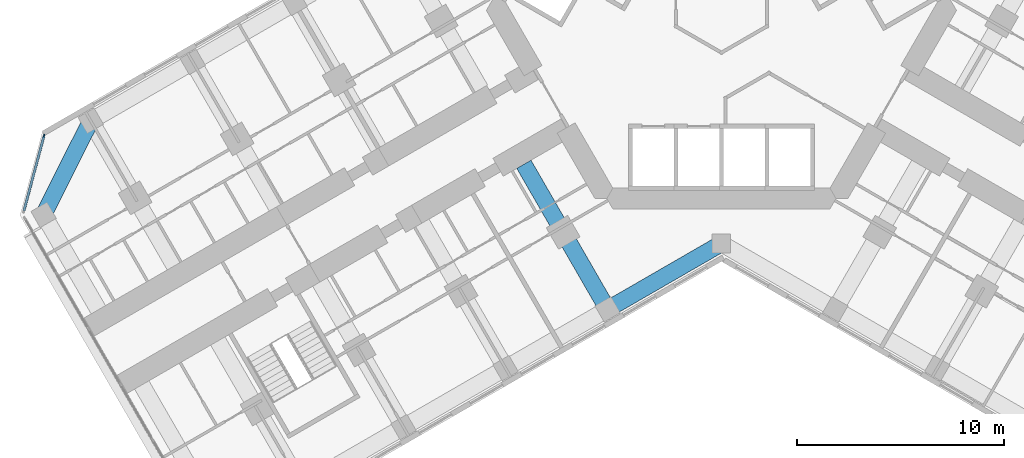
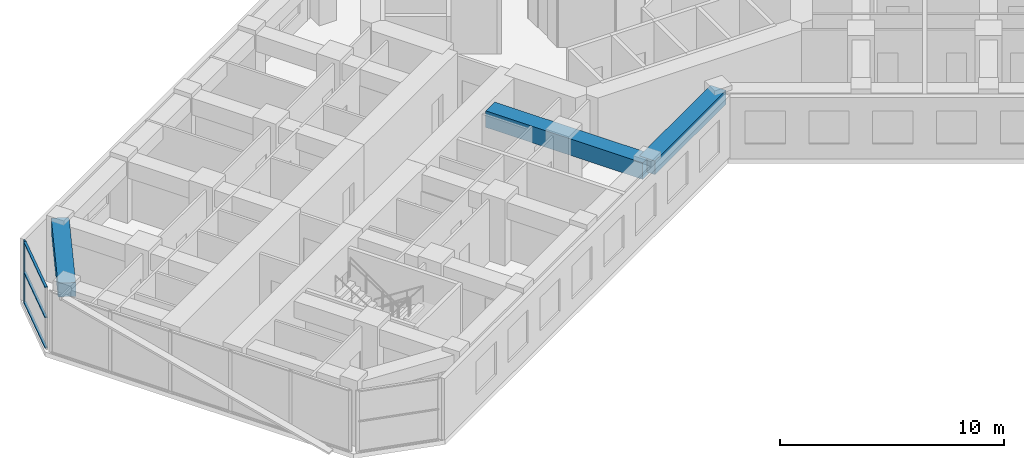
# One storey, part 3 of 21: 4 members, 3 beams, 1 element without a shape of its own.
"""IFC4 building model written with IfcOpenShell, lengths in metres."""

from ifc_helpers import new_model, si_unit, direction, frame, origin, origin_2d, place, context, subcontext, project, spatial, rectangle, extrude, material, material_profile, profile_set, type_object, element, aggregate, save


model = new_model("IFC4")

# Units and contexts
model_context = context("Model", 3, precision=1e-05, world=origin(), true_north=direction((0.0, 1.0)))
body_context = subcontext(model_context, "Body", "Model", "MODEL_VIEW")
ifc_project = project(units=[si_unit("LENGTHUNIT", "METRE"), si_unit("AREAUNIT", "SQUARE_METRE"), si_unit("VOLUMEUNIT", "CUBIC_METRE"), si_unit("PLANEANGLEUNIT", "RADIAN"), si_unit("MASSUNIT", "GRAM", prefix="KILO")], contexts=[model_context])

# Site, building, storey
site_placement = place(None, origin())
site = spatial("IfcSite", under=ifc_project, at=site_placement, CompositionType="ELEMENT")
building_placement = place(site_placement, origin())
building = spatial("IfcBuilding", under=site, at=building_placement, Name="Kosmar Iwan School Tower", CompositionType="ELEMENT")
storey_placement = place(building_placement, frame((0.0, 0.0, 88.0)))
storey = spatial("IfcBuildingStorey", under=building, at=storey_placement, Name="L21", CompositionType="ELEMENT", Elevation=88.0)

# Curtain wall, member
ifc_material_1 = material(Name="Dark glass in black aluminium frame", Category="aluminium")
curtain_wall_type = type_object("IfcCurtainWallType", Name="Chamfer curtain wall dark glass", PredefinedType="USERDEFINED", material=ifc_material_1)
curtain_wall_placement = place(storey_placement, origin())
curtain_wall = element("IfcCurtainWall", 1, at=curtain_wall_placement, inside=storey, type_object=curtain_wall_type, Name="Curtain wall L21-F12", ObjectType="FACETED CURTAIN WALL", PredefinedType="USERDEFINED")
ifc_material_2 = material(Name="Black anodised aluminium", Category="aluminium")
ifc_material_profile_1 = material_profile(ifc_material_2, rectangle(XDim=0.06005859375, YDim=0.159912109375, at=origin_2d()), Name="MULLION 60x160")
ifc_profile_set_1 = profile_set([ifc_material_profile_1], Name="Black anodised aluminium")
member_type_1 = type_object("IfcMemberType", Name="Mullion 60x160", PredefinedType="MULLION", material=ifc_profile_set_1)
member_1_placement = place(storey_placement, frame((-32.78076171875, -6.5732421875, 0.0), z_axis=(0.0, 0.0, 1.0), x_axis=(0.965925875495, -0.258818861462, 0.0)))
member_1 = element("IfcMember", 2, at=member_1_placement, type_object=member_type_1, Name="CW2 mullion 1", PredefinedType="MULLION", context=body_context, shape_type="SweptSolid", body=[
    extrude(rectangle(XDim=0.06005859375, YDim=0.159912109375, at=origin_2d()), origin(), (0.0, 0.0, 1.0), 3.35009765625),
])

# Beams
ifc_material_3 = material(Name="Concrete C50/60", Category="concrete")
ifc_material_profile_2 = material_profile(ifc_material_3, rectangle(XDim=0.800048828125, YDim=0.75, at=origin_2d()), Name="RC 800x750")
ifc_profile_set_2 = profile_set([ifc_material_profile_2], Name="Concrete C50/60")
beam_type_1 = type_object("IfcBeamType", Name="RC edge beam 800x750", PredefinedType="BEAM", material=ifc_profile_set_2)
beam_1_placement = place(storey_placement, frame((0.0, -11.77783203125, 2.97509765625), z_axis=(-0.866014293216, -0.500019243575, 0.0), x_axis=(0.500019243575, -0.866014293216, 0.0)))
element("IfcBeam", 3, at=beam_1_placement, inside=storey, type_object=beam_type_1, Name="Edge beam BL1", PredefinedType="BEAM", context=body_context, shape_type="SweptSolid", body=[
    extrude(rectangle(XDim=0.800048828125, YDim=0.75, at=origin_2d()), origin(), (0.0, 0.0, 1.0), 6.361083984375),
])
ifc_material_4 = material(Name="Concrete C50/60", Category="concrete")
ifc_material_profile_3 = material_profile(ifc_material_4, rectangle(XDim=0.800048828125, YDim=0.75, at=origin_2d()), Name="RC 800x750")
ifc_profile_set_3 = profile_set([ifc_material_profile_3], Name="Concrete C50/60")
beam_type_2 = type_object("IfcBeamType", Name="RC tip beam 800x750", PredefinedType="BEAM", material=ifc_profile_set_3)
beam_2_placement = place(storey_placement, frame((-30.517822265625, -5.841552734375, 2.97509765625), z_axis=(-0.44809604203, -0.893985423325, 0.0), x_axis=(0.893985423325, -0.44809604203, 0.0)))
element("IfcBeam", 4, at=beam_2_placement, inside=storey, type_object=beam_type_2, Name="Tip beam BR", PredefinedType="BEAM", context=body_context, shape_type="SweptSolid", body=[
    extrude(rectangle(XDim=0.800048828125, YDim=0.75, at=origin_2d()), origin(), (0.0, 0.0, 1.0), 5.08935546875),
])
ifc_material_5 = material(Name="Concrete C50/60", Category="concrete")
ifc_material_profile_4 = material_profile(ifc_material_5, rectangle(XDim=0.800048828125, YDim=0.89990234375, at=origin_2d()), Name="RC 800x900")
ifc_profile_set_4 = profile_set([ifc_material_profile_4], Name="Concrete C50/60")
beam_type_3 = type_object("IfcBeamType", Name="RC transverse beam 800x900", PredefinedType="BEAM", material=ifc_profile_set_4)
beam_3_placement = place(storey_placement, frame((-5.5087890625, -14.95849609375, 2.89990234375), z_axis=(-0.499999880539, 0.866025472755, 0.0), x_axis=(-0.866025472755, -0.499999880539, 0.0)))
element("IfcBeam", 5, at=beam_3_placement, inside=storey, type_object=beam_type_3, Name="Transverse beam BL1", PredefinedType="BEAM", context=body_context, shape_type="SweptSolid", body=[
    extrude(rectangle(XDim=0.800048828125, YDim=0.89990234375, at=origin_2d()), origin(), (0.0, 0.0, 1.0), 8.10009765625),
])

# Member
ifc_material_6 = material(Name="Black anodised aluminium", Category="aluminium")
ifc_material_profile_5 = material_profile(ifc_material_6, rectangle(XDim=0.1201171875, YDim=0.06005859375, at=origin_2d()), Name="TRANSOM 60x120")
ifc_profile_set_5 = profile_set([ifc_material_profile_5], Name="Black anodised aluminium")
member_type_2 = type_object("IfcMemberType", Name="Transom 60x120", PredefinedType="USERDEFINED", material=ifc_profile_set_5)
member_2_placement = place(storey_placement, frame((-32.788330078125, -6.602294921875, 0.030029296875), z_axis=(-0.258843273983, -0.965919333854, 0.0), x_axis=(0.965919333854, -0.258843273983, 0.0)))
member_2 = element("IfcMember", 6, at=member_2_placement, type_object=member_type_2, Name="CW2 transom 1.1", ObjectType="TRANSOM", PredefinedType="USERDEFINED", context=body_context, shape_type="SweptSolid", body=[
    extrude(rectangle(XDim=0.1201171875, YDim=0.06005859375, at=origin_2d()), origin(), (0.0, 0.0, 1.0), 3.718994140625),
])

member_3_placement = place(storey_placement, frame((-32.788330078125, -6.602294921875, 1.675048828125), z_axis=(-0.258843273983, -0.965919333854, 0.0), x_axis=(0.965919333854, -0.258843273983, 0.0)))
member_3 = element("IfcMember", 7, at=member_3_placement, type_object=member_type_2, Name="CW2 transom 1.2", ObjectType="TRANSOM", PredefinedType="USERDEFINED", context=body_context, shape_type="SweptSolid", body=[
    extrude(rectangle(XDim=0.1201171875, YDim=0.06005859375, at=origin_2d()), origin(), (0.0, 0.0, 1.0), 3.718994140625),
])

member_4_placement = place(storey_placement, frame((-32.788330078125, -6.602294921875, 3.320068359375), z_axis=(-0.258843273983, -0.965919333854, 0.0), x_axis=(0.965919333854, -0.258843273983, 0.0)))
member_4 = element("IfcMember", 8, at=member_4_placement, type_object=member_type_2, Name="CW2 transom 1.3", ObjectType="TRANSOM", PredefinedType="USERDEFINED", context=body_context, shape_type="SweptSolid", body=[
    extrude(rectangle(XDim=0.1201171875, YDim=0.06005859375, at=origin_2d()), origin(), (0.0, 0.0, 1.0), 3.718994140625),
])

aggregate(curtain_wall, [member_1, member_2, member_3, member_4])

save(model, "model.ifc")
